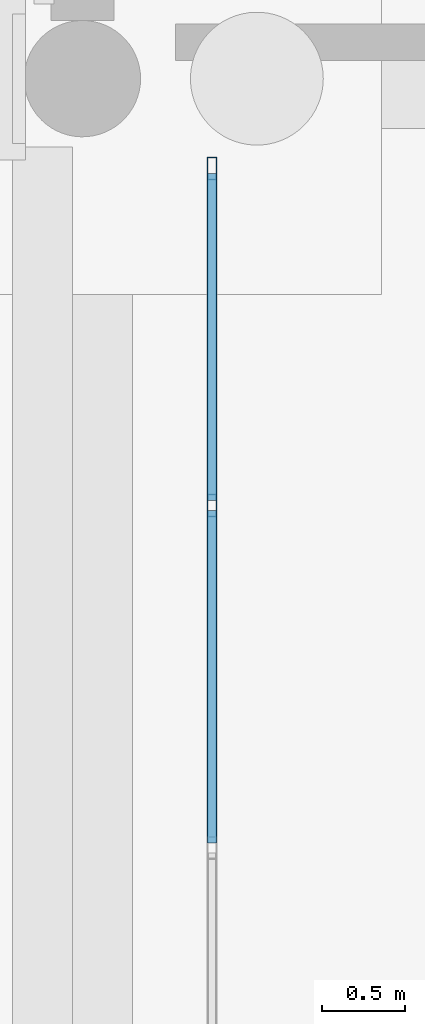
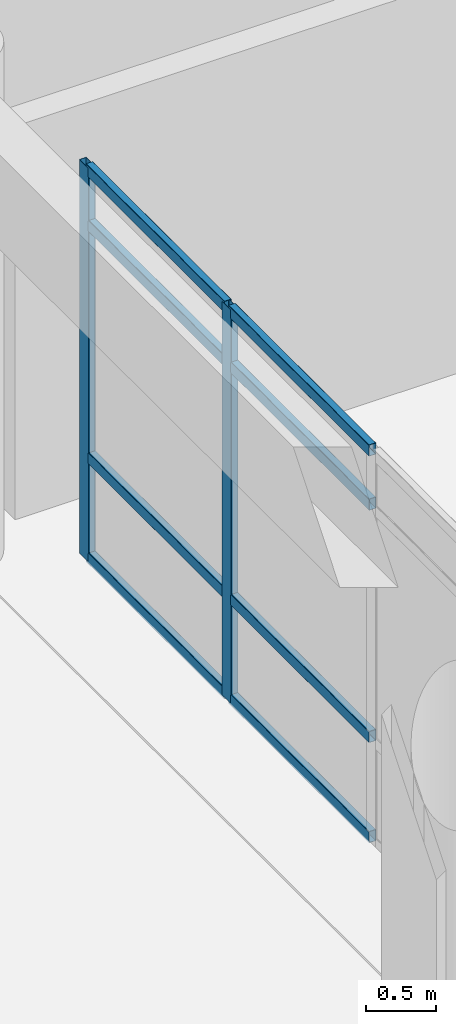
# One storey, part 119 of 196: 10 members, 1 element without a shape of its own.
"""IFC4 building model written with IfcOpenShell, lengths in metres."""

from ifc_helpers import new_model, si_unit, direction, frame, origin, origin_2d, place, context, subcontext, project, spatial, hollow_rectangle, extrude, material, layer, layer_set, material_profile, profile_set, type_object, element, aggregate, save


model = new_model("IFC4")

# Units and contexts
model_context = context("Model", 3, precision=1e-05, world=origin(), true_north=direction((0.0, 1.0)))
body_context = subcontext(model_context, "Body", "Model", "MODEL_VIEW")
ifc_project = project(units=[si_unit("LENGTHUNIT", "METRE"), si_unit("AREAUNIT", "SQUARE_METRE"), si_unit("VOLUMEUNIT", "CUBIC_METRE"), si_unit("PLANEANGLEUNIT", "RADIAN"), si_unit("MASSUNIT", "GRAM", prefix="KILO")], contexts=[model_context])

# Site, building, storey
site_placement = place(None, origin())
site = spatial("IfcSite", under=ifc_project, at=site_placement, CompositionType="ELEMENT")
building_placement = place(site_placement, origin())
building = spatial("IfcBuilding", under=site, at=building_placement, Name="Asteropetra Specialist Clinic", CompositionType="ELEMENT")
storey_placement = place(building_placement, origin())
storey = spatial("IfcBuildingStorey", under=building, at=storey_placement, Name="L00", CompositionType="ELEMENT", Elevation=0.0)

# Curtain wall, members
ifc_material_1 = material(Name="Aluminium and low-E glass", Category="aluminium")
ifc_layer = layer(ifc_material_1, 0.179931640625)
ifc_layer_set = layer_set([ifc_layer], Name="Aluminium and low-E glass")
curtain_wall_type = type_object("IfcCurtainWallType", Name="CW-SYS-01", PredefinedType="USERDEFINED", material=ifc_layer_set)
curtain_wall_placement = place(storey_placement, origin())
curtain_wall = element("IfcCurtainWall", 1, at=curtain_wall_placement, inside=storey, type_object=curtain_wall_type, Name="Curtain Wall CW-215", ObjectType="UNITISED CURTAIN WALL", PredefinedType="USERDEFINED")
ifc_material_2 = material(Name="Aluminium 6063-T6", Category="aluminium")
ifc_material_profile_1 = material_profile(ifc_material_2, hollow_rectangle(XDim=0.06005859375, YDim=0.135009765625, WallThickness=0.00341796875, InnerFilletRadius=0.00341796875, OuterFilletRadius=0.007080078125, at=origin_2d()), Name="MUL 135x60x3.5")
ifc_profile_set_1 = profile_set([ifc_material_profile_1], Name="Aluminium 6063-T6")
member_type_1 = type_object("IfcMemberType", Name="CWM-135x60", PredefinedType="MULLION", material=ifc_profile_set_1)
member_1_placement = place(storey_placement, frame((87.179931640625, 97.860107421875, 0.0), z_axis=(0.0, 0.0, 1.0), x_axis=(1.0, 0.0, 0.0)))
member_1 = element("IfcMember", 2, at=member_1_placement, type_object=member_type_1, Name="CW-215 mullion 1", PredefinedType="MULLION", context=body_context, shape_type="SweptSolid", body=[
    extrude(hollow_rectangle(XDim=0.06005859375, YDim=0.135009765625, WallThickness=0.00341796875, InnerFilletRadius=0.00341796875, OuterFilletRadius=0.007080078125, at=origin_2d()), origin(), (0.0, 0.0, 1.0), 3.419921875),
])
member_2_placement = place(storey_placement, frame((87.179931640625, 95.830078125, 0.0), z_axis=(0.0, 0.0, 1.0), x_axis=(1.0, 0.0, 0.0)))
member_2 = element("IfcMember", 3, at=member_2_placement, type_object=member_type_1, Name="CW-215 mullion 2", PredefinedType="MULLION", context=body_context, shape_type="SweptSolid", body=[
    extrude(hollow_rectangle(XDim=0.06005859375, YDim=0.135009765625, WallThickness=0.00341796875, InnerFilletRadius=0.00341796875, OuterFilletRadius=0.007080078125, at=origin_2d()), origin(), (0.0, 0.0, 1.0), 3.419921875),
])
ifc_material_3 = material(Name="Aluminium 6063-T6", Category="aluminium")
ifc_material_profile_2 = material_profile(ifc_material_3, hollow_rectangle(XDim=0.06005859375, YDim=0.10009765625, WallThickness=0.00341796875, InnerFilletRadius=0.00341796875, OuterFilletRadius=0.007080078125, at=origin_2d()), Name="TRN 100x60x3.5")
ifc_profile_set_2 = profile_set([ifc_material_profile_2], Name="Aluminium 6063-T6")
member_type_2 = type_object("IfcMemberType", Name="CWT-100x60", PredefinedType="USERDEFINED", material=ifc_profile_set_2)
member_3_placement = place(storey_placement, frame((87.179931640625, 97.830078125, 0.030029296875), z_axis=(0.0, -1.0, 0.0), x_axis=(1.0, 0.0, 0.0)))
member_3 = element("IfcMember", 4, at=member_3_placement, type_object=member_type_2, Name="CW-215 transom 1.1", ObjectType="TRANSOM", PredefinedType="USERDEFINED", context=body_context, shape_type="SweptSolid", body=[
    extrude(hollow_rectangle(XDim=0.06005859375, YDim=0.10009765625, WallThickness=0.00341796875, InnerFilletRadius=0.00341796875, OuterFilletRadius=0.007080078125, at=origin_2d()), origin(), (0.0, 0.0, 1.0), 1.969970703125),
])
member_4_placement = place(storey_placement, frame((87.179931640625, 97.830078125, 0.89990234375), z_axis=(0.0, -1.0, 0.0), x_axis=(1.0, 0.0, 0.0)))
member_4 = element("IfcMember", 5, at=member_4_placement, type_object=member_type_2, Name="CW-215 transom 1.2", ObjectType="TRANSOM", PredefinedType="USERDEFINED", context=body_context, shape_type="SweptSolid", body=[
    extrude(hollow_rectangle(XDim=0.06005859375, YDim=0.10009765625, WallThickness=0.00341796875, InnerFilletRadius=0.00341796875, OuterFilletRadius=0.007080078125, at=origin_2d()), origin(), (0.0, 0.0, 1.0), 1.969970703125),
])
member_5_placement = place(storey_placement, frame((87.179931640625, 97.830078125, 2.919921875), z_axis=(0.0, -1.0, 0.0), x_axis=(1.0, 0.0, 0.0)))
member_5 = element("IfcMember", 6, at=member_5_placement, type_object=member_type_2, Name="CW-215 transom 1.3", ObjectType="TRANSOM", PredefinedType="USERDEFINED", context=body_context, shape_type="SweptSolid", body=[
    extrude(hollow_rectangle(XDim=0.06005859375, YDim=0.10009765625, WallThickness=0.00341796875, InnerFilletRadius=0.00341796875, OuterFilletRadius=0.007080078125, at=origin_2d()), origin(), (0.0, 0.0, 1.0), 1.969970703125),
])
member_6_placement = place(storey_placement, frame((87.179931640625, 97.830078125, 3.389892578125), z_axis=(0.0, -1.0, 0.0), x_axis=(1.0, 0.0, 0.0)))
member_6 = element("IfcMember", 7, at=member_6_placement, type_object=member_type_2, Name="CW-215 transom 1.4", ObjectType="TRANSOM", PredefinedType="USERDEFINED", context=body_context, shape_type="SweptSolid", body=[
    extrude(hollow_rectangle(XDim=0.06005859375, YDim=0.10009765625, WallThickness=0.00341796875, InnerFilletRadius=0.00341796875, OuterFilletRadius=0.007080078125, at=origin_2d()), origin(), (0.0, 0.0, 1.0), 1.969970703125),
])
member_7_placement = place(storey_placement, frame((87.179931640625, 95.800048828125, 0.030029296875), z_axis=(0.0, -1.0, 0.0), x_axis=(1.0, 0.0, 0.0)))
member_7 = element("IfcMember", 8, at=member_7_placement, type_object=member_type_2, Name="CW-215 transom 2.1", ObjectType="TRANSOM", PredefinedType="USERDEFINED", context=body_context, shape_type="SweptSolid", body=[
    extrude(hollow_rectangle(XDim=0.06005859375, YDim=0.10009765625, WallThickness=0.00341796875, InnerFilletRadius=0.00341796875, OuterFilletRadius=0.007080078125, at=origin_2d()), origin(), (0.0, 0.0, 1.0), 2.0),
])
member_8_placement = place(storey_placement, frame((87.179931640625, 95.800048828125, 0.89990234375), z_axis=(0.0, -1.0, 0.0), x_axis=(1.0, 0.0, 0.0)))
member_8 = element("IfcMember", 9, at=member_8_placement, type_object=member_type_2, Name="CW-215 transom 2.2", ObjectType="TRANSOM", PredefinedType="USERDEFINED", context=body_context, shape_type="SweptSolid", body=[
    extrude(hollow_rectangle(XDim=0.06005859375, YDim=0.10009765625, WallThickness=0.00341796875, InnerFilletRadius=0.00341796875, OuterFilletRadius=0.007080078125, at=origin_2d()), origin(), (0.0, 0.0, 1.0), 2.0),
])
member_9_placement = place(storey_placement, frame((87.179931640625, 95.800048828125, 2.919921875), z_axis=(0.0, -1.0, 0.0), x_axis=(1.0, 0.0, 0.0)))
member_9 = element("IfcMember", 10, at=member_9_placement, type_object=member_type_2, Name="CW-215 transom 2.3", ObjectType="TRANSOM", PredefinedType="USERDEFINED", context=body_context, shape_type="SweptSolid", body=[
    extrude(hollow_rectangle(XDim=0.06005859375, YDim=0.10009765625, WallThickness=0.00341796875, InnerFilletRadius=0.00341796875, OuterFilletRadius=0.007080078125, at=origin_2d()), origin(), (0.0, 0.0, 1.0), 2.0),
])
member_10_placement = place(storey_placement, frame((87.179931640625, 95.800048828125, 3.389892578125), z_axis=(0.0, -1.0, 0.0), x_axis=(1.0, 0.0, 0.0)))
member_10 = element("IfcMember", 11, at=member_10_placement, type_object=member_type_2, Name="CW-215 transom 2.4", ObjectType="TRANSOM", PredefinedType="USERDEFINED", context=body_context, shape_type="SweptSolid", body=[
    extrude(hollow_rectangle(XDim=0.06005859375, YDim=0.10009765625, WallThickness=0.00341796875, InnerFilletRadius=0.00341796875, OuterFilletRadius=0.007080078125, at=origin_2d()), origin(), (0.0, 0.0, 1.0), 2.0),
])
aggregate(curtain_wall, [member_1, member_2, member_3, member_4, member_5, member_6, member_7, member_8, member_9, member_10])

save(model, "model.ifc")
